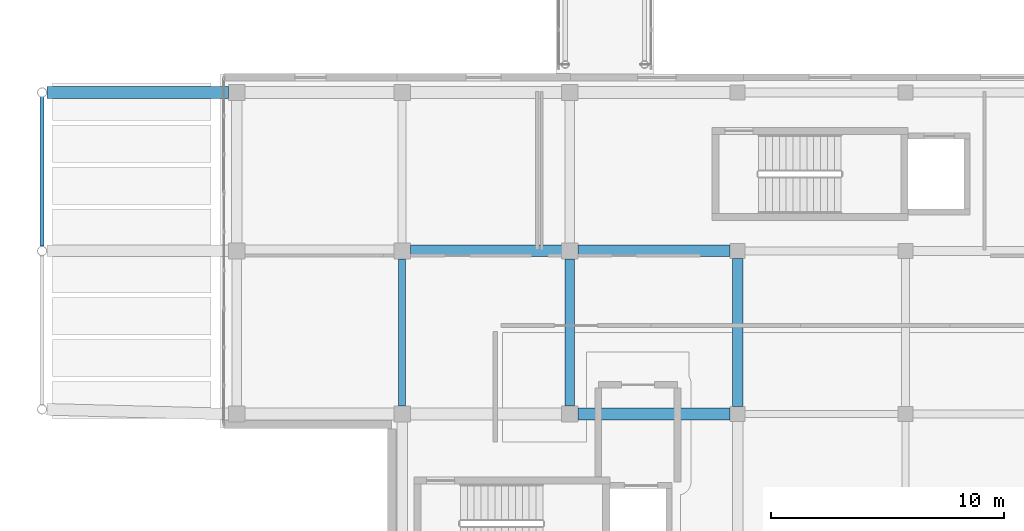
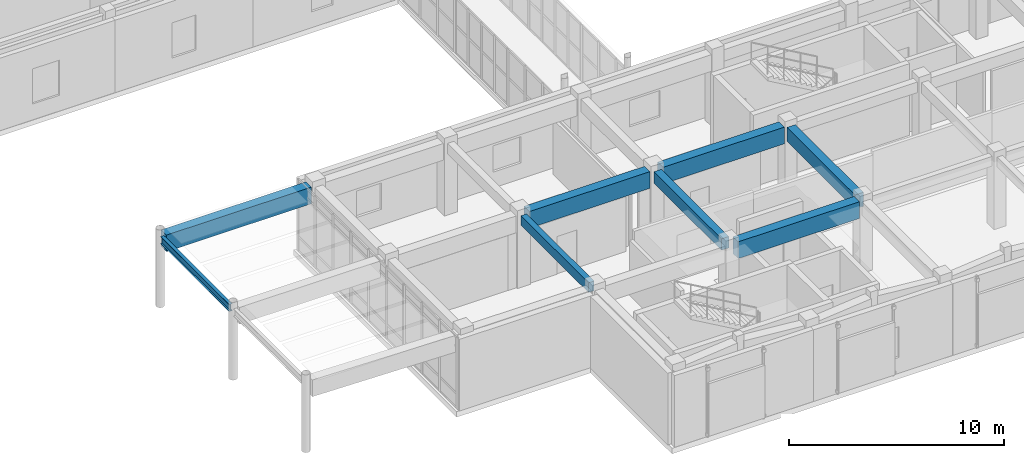
# One storey, part 17 of 142: 8 beams.
"""IFC4 building model written with IfcOpenShell, lengths in metres."""

from ifc_helpers import new_model, si_unit, direction, frame, origin, origin_2d, place, context, subcontext, project, spatial, rectangle, i_section, extrude, material, material_profile, profile_set, type_object, element, save


model = new_model("IFC4")

# Units and contexts
model_context = context("Model", 3, precision=1e-05, world=origin(), true_north=direction((0.0, 1.0)))
body_context = subcontext(model_context, "Body", "Model", "MODEL_VIEW")
ifc_project = project(units=[si_unit("LENGTHUNIT", "METRE"), si_unit("AREAUNIT", "SQUARE_METRE"), si_unit("VOLUMEUNIT", "CUBIC_METRE"), si_unit("PLANEANGLEUNIT", "RADIAN"), si_unit("MASSUNIT", "GRAM", prefix="KILO")], contexts=[model_context])

# Site, building, storey
site_placement = place(None, origin())
site = spatial("IfcSite", under=ifc_project, at=site_placement, CompositionType="ELEMENT")
building_placement = place(site_placement, origin())
building = spatial("IfcBuilding", under=site, at=building_placement, Name="Valcora Specialist Clinic", CompositionType="ELEMENT")
storey_placement = place(building_placement, frame((0.0, 0.0, 5.10009765625)))
storey = spatial("IfcBuildingStorey", under=building, at=storey_placement, Name="L01", CompositionType="ELEMENT", Elevation=5.10009765625)

# Beams
ifc_material_1 = material(Name="Steel ASTM A992 Grade 50", Category="steel")
ifc_material_profile_1 = material_profile(ifc_material_1, i_section(OverallWidth=0.177978515625, OverallDepth=0.406005859375, WebThickness=0.008056640625, FlangeThickness=0.012939453125, at=origin_2d()), Name="ST-IR-410X180")
ifc_profile_set_1 = profile_set([ifc_material_profile_1], Name="Steel ASTM A992 Grade 50")
beam_type_1 = type_object("IfcBeamType", Name="TY-BM-IR410", PredefinedType="SPANDREL", material=ifc_profile_set_1)
beam_1_placement = place(storey_placement, frame((0.75, 15.403076171875, 3.867919921875), z_axis=(0.0, 1.0, 0.0), x_axis=(-1.0, 0.0, 0.0)))
element("IfcBeam", 1, at=beam_1_placement, inside=storey, type_object=beam_type_1, Name="Beam BM-L01-0961", PredefinedType="SPANDREL", context=body_context, shape_type="SweptSolid", body=[
    extrude(i_section(OverallWidth=0.177978515625, OverallDepth=0.406005859375, WebThickness=0.008056640625, FlangeThickness=0.012939453125, at=origin_2d()), origin(), (0.0, 0.0, 1.0), 6.39404296875),
])
ifc_material_2 = material(Name="Concrete C40/50", Category="concrete")
ifc_material_profile_2 = material_profile(ifc_material_2, rectangle(XDim=0.300048828125, YDim=0.550048828125, at=origin_2d()), Name="RC-BM-300X550")
ifc_profile_set_2 = profile_set([ifc_material_profile_2], Name="Concrete C40/50")
beam_type_2 = type_object("IfcBeamType", Name="TY-BM-RC300X550", PredefinedType="BEAM", material=ifc_profile_set_2)
beam_2_placement = place(storey_placement, frame((16.199951171875, 8.550048828125, 3.7998046875), z_axis=(0.0, 1.0, 0.0), x_axis=(-1.0, 0.0, 0.0)))
element("IfcBeam", 2, at=beam_2_placement, inside=storey, type_object=beam_type_2, Name="Beam BM-L01-0965", PredefinedType="BEAM", context=body_context, shape_type="SweptSolid", body=[
    extrude(rectangle(XDim=0.300048828125, YDim=0.550048828125, at=origin_2d()), origin(), (0.0, 0.0, 1.0), 6.300048828125),
])
ifc_material_profile_3 = material_profile(ifc_material_2, rectangle(XDim=0.39990234375, YDim=0.64990234375, at=origin_2d()), Name="RC-BM-400X650")
ifc_profile_set_3 = profile_set([ifc_material_profile_3], Name="Concrete C40/50")
beam_type_3 = type_object("IfcBeamType", Name="TY-BM-RC400X650", PredefinedType="BEAM", material=ifc_profile_set_3)
beam_3_placement = place(storey_placement, frame((23.39990234375, 8.550048828125, 3.75), z_axis=(0.0, 1.0, 0.0), x_axis=(-1.0, 0.0, 0.0)))
element("IfcBeam", 3, at=beam_3_placement, inside=storey, type_object=beam_type_3, Name="Beam BM-L01-0967", PredefinedType="BEAM", context=body_context, shape_type="SweptSolid", body=[
    extrude(rectangle(XDim=0.39990234375, YDim=0.64990234375, at=origin_2d()), origin(), (0.0, 0.0, 1.0), 6.300048828125),
])
ifc_material_profile_4 = material_profile(ifc_material_2, rectangle(XDim=0.449951171875, YDim=0.800048828125, at=origin_2d()), Name="RC-BM-450X800")
ifc_profile_set_4 = profile_set([ifc_material_profile_4], Name="Concrete C40/50")
beam_type_4 = type_object("IfcBeamType", Name="TY-BM-RC450X800", PredefinedType="BEAM", material=ifc_profile_set_4)
beam_4_placement = place(storey_placement, frame((30.60009765625, 8.52490234375, 3.6748046875), z_axis=(0.0, 1.0, 0.0), x_axis=(-1.0, 0.0, 0.0)))
element("IfcBeam", 4, at=beam_4_placement, inside=storey, type_object=beam_type_4, Name="Beam BM-L01-0970", PredefinedType="BEAM", context=body_context, shape_type="SweptSolid", body=[
    extrude(rectangle(XDim=0.449951171875, YDim=0.800048828125, at=origin_2d()), origin(), (0.0, 0.0, 1.0), 6.35009765625),
])
ifc_material_profile_5 = material_profile(ifc_material_2, rectangle(XDim=0.5, YDim=0.949951171875, at=origin_2d()), Name="RC-BM-500X950")
ifc_profile_set_5 = profile_set([ifc_material_profile_5], Name="Concrete C40/50")
beam_type_5 = type_object("IfcBeamType", Name="TY-BM-TR500X950", PredefinedType="BEAM", material=ifc_profile_set_5)
beam_5_placement = place(storey_placement, frame((23.75, 8.199951171875, 3.599853515625), z_axis=(1.0, 0.0, 0.0), x_axis=(0.0, 1.0, 0.0)))
element("IfcBeam", 5, at=beam_5_placement, inside=storey, type_object=beam_type_5, Name="Beam BM-L01-0942", PredefinedType="BEAM", context=body_context, shape_type="SweptSolid", body=[
    extrude(rectangle(XDim=0.5, YDim=0.949951171875, at=origin_2d()), origin(), (0.0, 0.0, 1.0), 6.52490234375),
])
beam_6_placement = place(storey_placement, frame((16.550048828125, 15.199951171875, 3.599853515625), z_axis=(1.0, 0.0, 0.0), x_axis=(0.0, 1.0, 0.0)))
element("IfcBeam", 6, at=beam_6_placement, inside=storey, type_object=beam_type_5, Name="Beam BM-L01-0948", PredefinedType="BEAM", context=body_context, shape_type="SweptSolid", body=[
    extrude(rectangle(XDim=0.5, YDim=0.949951171875, at=origin_2d()), origin(), (0.0, 0.0, 1.0), 6.5),
])
beam_7_placement = place(storey_placement, frame((23.75, 15.199951171875, 3.599853515625), z_axis=(1.0, 0.0, 0.0), x_axis=(0.0, 1.0, 0.0)))
element("IfcBeam", 7, at=beam_7_placement, inside=storey, type_object=beam_type_5, Name="Beam BM-L01-0949", PredefinedType="BEAM", context=body_context, shape_type="SweptSolid", body=[
    extrude(rectangle(XDim=0.5, YDim=0.949951171875, at=origin_2d()), origin(), (0.0, 0.0, 1.0), 6.52490234375),
])
beam_8_placement = place(storey_placement, frame((0.952880859375, 22.0, 3.599853515625), z_axis=(1.0, 0.0, 0.0), x_axis=(0.0, 1.0, 0.0)))
element("IfcBeam", 8, at=beam_8_placement, inside=storey, type_object=beam_type_5, Name="Beam BM-L01-0953", PredefinedType="BEAM", context=body_context, shape_type="SweptSolid", body=[
    extrude(rectangle(XDim=0.5, YDim=0.949951171875, at=origin_2d()), origin(), (0.0, 0.0, 1.0), 7.797119140625),
])

save(model, "model.ifc")
